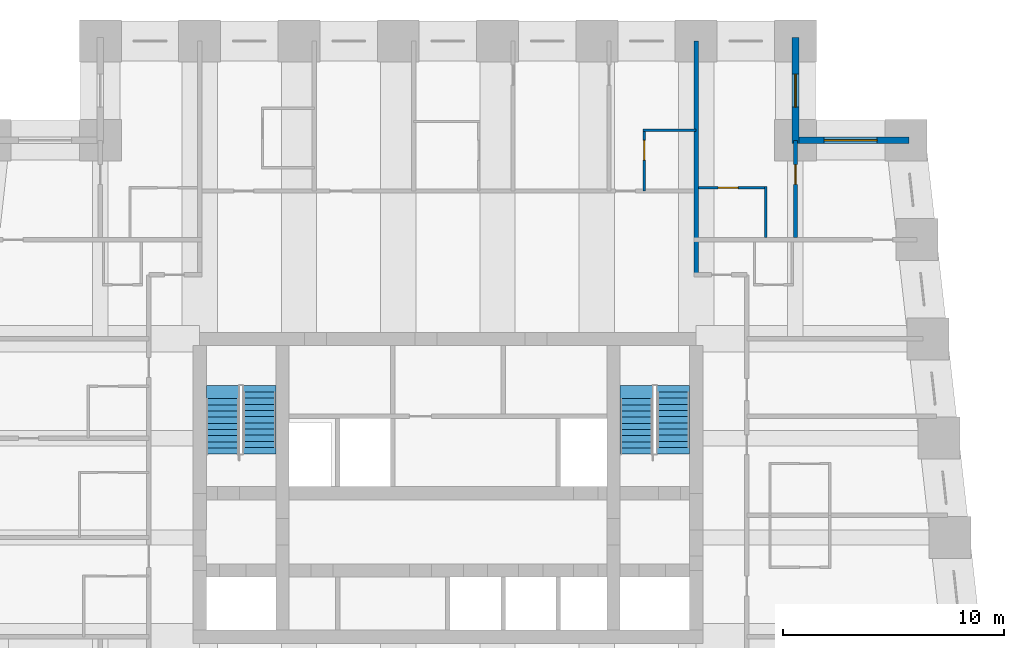
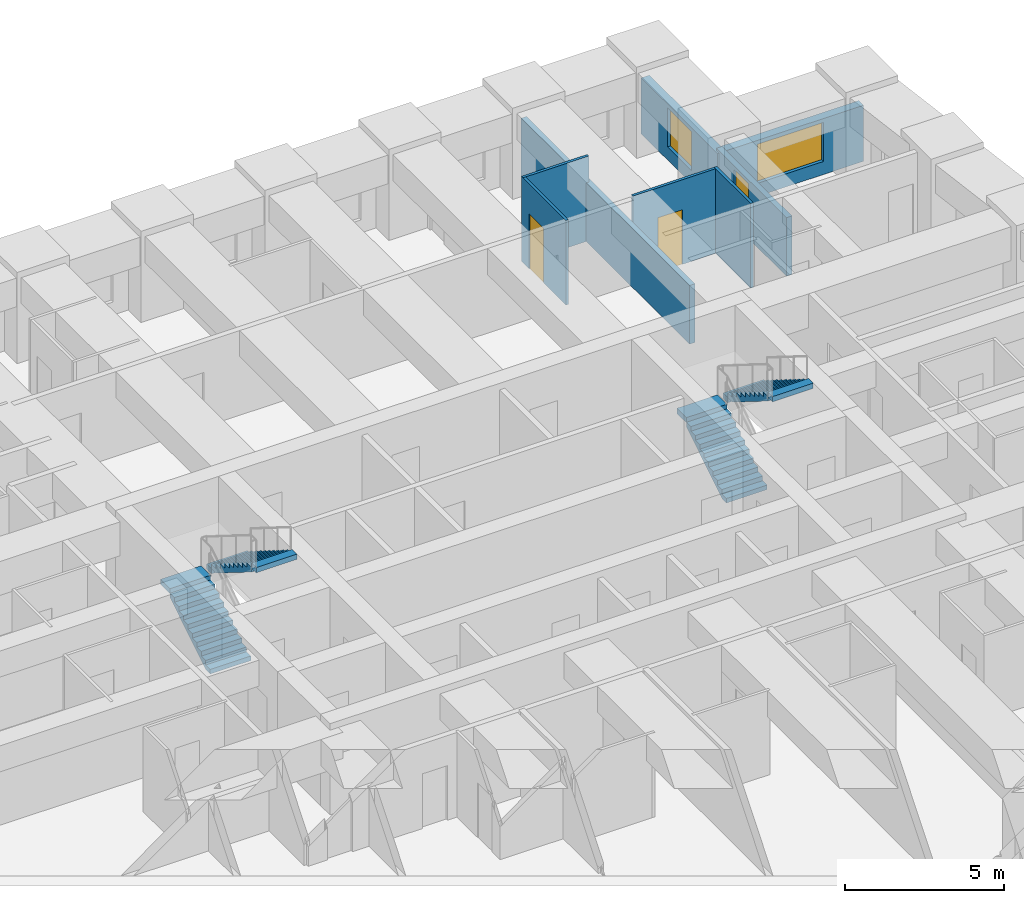
# One storey, part 7 of 8: 8 walls, 4 stair flights, 3 doors, 2 windows, 5 openings, 2 elements without a shape of their own.
"""IFC4 building model written with IfcOpenShell, lengths in metres."""

from ifc_helpers import new_model, si_unit, direction, frame, frame_2d, origin, place, context, subcontext, project, spatial, polyline, rectangle, outline, extrude, material, layer, layer_set, type_object, element, fill, aggregate, save


model = new_model("IFC4")

# Units and contexts
model_context = context("Model", 3, precision=1e-05, world=origin(), true_north=direction((0.0, 1.0)))
body_context = subcontext(model_context, "Body", "Model", "MODEL_VIEW")
ifc_project = project(units=[si_unit("LENGTHUNIT", "METRE"), si_unit("AREAUNIT", "SQUARE_METRE"), si_unit("VOLUMEUNIT", "CUBIC_METRE"), si_unit("PLANEANGLEUNIT", "RADIAN"), si_unit("MASSUNIT", "GRAM", prefix="KILO")], contexts=[model_context])

# Site, building, storey
site_placement = place(None, origin())
site = spatial("IfcSite", under=ifc_project, at=site_placement, CompositionType="ELEMENT")
building_placement = place(site_placement, origin())
building = spatial("IfcBuilding", under=site, at=building_placement, Name="Kilele Tower Hotel", CompositionType="ELEMENT")
storey_placement = place(building_placement, frame((0.0, 0.0, 121.39990234375)))
storey = spatial("IfcBuildingStorey", under=building, at=storey_placement, Name="L31", CompositionType="ELEMENT", Elevation=121.39990234375)

# Wall
ifc_material_1 = material(Name="Moisture-resistant board")
ifc_layer_1 = layer(ifc_material_1, 0.10009765625)
ifc_layer_set_1 = layer_set([ifc_layer_1], Name="Moisture-resistant board")
wall_type_1 = type_object("IfcWallType", Name="Bathroom partition 100", PredefinedType="PLUMBINGWALL", material=ifc_layer_set_1)
wall_1_placement = place(storey_placement, frame((33.60009765625, 36.449951171875, 0.0), z_axis=(0.0, 0.0, 1.0), x_axis=(1.0, 0.0, 0.0)))
element("IfcWall", 1, at=wall_1_placement, inside=storey, type_object=wall_type_1, Name="Bathroom partition 100 L31", PredefinedType="PLUMBINGWALL", context=body_context, shape_type="SweptSolid", body=[
    extrude(rectangle(XDim=2.39990234375, YDim=0.10009765625, at=frame_2d((1.199951171875, 0.0))), origin(), (0.0, 0.0, 1.0), 3.25),
])

# Wall, opening, door
wall_2_placement = place(storey_placement, frame((33.64990234375, 33.699951171875, 0.0), z_axis=(0.0, 0.0, 1.0), x_axis=(0.0, 1.0, 0.0)))
wall_2 = element("IfcWall", 2, at=wall_2_placement, inside=storey, type_object=wall_type_1, Name="Bathroom partition 100 L31", PredefinedType="PLUMBINGWALL", context=body_context, shape_type="SweptSolid", body=[
    extrude(rectangle(XDim=2.800048828125, YDim=0.10009765625, at=frame_2d((1.39990234375, 0.0))), origin(), (0.0, 0.0, 1.0), 3.25),
])
opening_1_placement = place(wall_2_placement, frame((1.39990234375, 0.0, 0.0)))
opening_1 = element("IfcOpeningElement", 3, at=opening_1_placement, cuts=wall_2, Name="Opening D2A", PredefinedType="OPENING", context=body_context, shape_type="SweptSolid", body=[
    extrude(rectangle(XDim=0.89990234375, YDim=2.10009765625, at=frame_2d((0.449951171875, 1.050048828125))), frame((0.0, 0.06005859375, 0.0), z_axis=(0.0, -1.0, 0.0), x_axis=(1.0, 0.0, 0.0)), (0.0, 0.0, 1.0), 0.1201171875),
])
ifc_material_2 = material(Name="Timber door leaf in hardwood frame", Category="wood")
door_type_1 = type_object("IfcDoorType", Name="Bathroom door 900", OperationType="SINGLE_SWING_LEFT", PredefinedType="DOOR", material=ifc_material_2)
door_1_placement = place(opening_1_placement, origin())
door_1 = element("IfcDoor", 4, at=door_1_placement, inside=storey, type_object=door_type_1, Name="Bathroom door 3113B", OperationType="SINGLE_SWING_LEFT", OverallHeight=2.10009765625, OverallWidth=0.89990234375, PredefinedType="DOOR", context=body_context, shape_type="SweptSolid", body=[
    extrude(rectangle(XDim=0.89990234375, YDim=2.10009765625, at=frame_2d((0.449951171875, 1.050048828125))), frame((0.0, 0.02490234375, 0.0), z_axis=(0.0, -1.0, 0.0), x_axis=(1.0, 0.0, 0.0)), (0.0, 0.0, 1.0), 0.050048828125),
])
fill(opening_1, door_1)

# Wall
wall_3_placement = place(storey_placement, frame((39.14990234375, 31.60009765625, 0.0), z_axis=(0.0, 0.0, 1.0), x_axis=(0.0, 1.0, 0.0)))
element("IfcWall", 5, at=wall_3_placement, inside=storey, type_object=wall_type_1, Name="Bathroom partition 100 L31", PredefinedType="PLUMBINGWALL", context=body_context, shape_type="SweptSolid", body=[
    extrude(rectangle(XDim=2.2998046875, YDim=0.10009765625, at=frame_2d((1.14990234375, 0.0))), origin(), (0.0, 0.0, 1.0), 3.25),
])

# Wall, opening, door
wall_4_placement = place(storey_placement, frame((36.10009765625, 33.85009765625, 0.0), z_axis=(0.0, 0.0, 1.0), x_axis=(1.0, 0.0, 0.0)))
wall_4 = element("IfcWall", 6, at=wall_4_placement, inside=storey, type_object=wall_type_1, Name="Bathroom partition 100 L31", PredefinedType="PLUMBINGWALL", context=body_context, shape_type="SweptSolid", body=[
    extrude(rectangle(XDim=3.099853515625, YDim=0.10009765625, at=frame_2d((1.5498046875, 0.0))), origin(), (0.0, 0.0, 1.0), 3.25),
])
opening_2_placement = place(wall_4_placement, frame((0.89990234375, 0.0, 0.0)))
opening_2 = element("IfcOpeningElement", 7, at=opening_2_placement, cuts=wall_4, Name="Opening D2A", PredefinedType="OPENING", context=body_context, shape_type="SweptSolid", body=[
    extrude(rectangle(XDim=0.89990234375, YDim=2.10009765625, at=frame_2d((0.449951171875, 1.050048828125))), frame((0.0, 0.06005859375, 0.0), z_axis=(0.0, -1.0, 0.0), x_axis=(1.0, 0.0, 0.0)), (0.0, 0.0, 1.0), 0.1201171875),
])
door_2_placement = place(opening_2_placement, origin())
door_2 = element("IfcDoor", 8, at=door_2_placement, inside=storey, type_object=door_type_1, Name="Bathroom door 3124B", OperationType="SINGLE_SWING_LEFT", OverallHeight=2.10009765625, OverallWidth=0.89990234375, PredefinedType="DOOR", context=body_context, shape_type="SweptSolid", body=[
    extrude(rectangle(XDim=0.89990234375, YDim=2.10009765625, at=frame_2d((0.449951171875, 1.050048828125))), frame((0.0, 0.02490234375, 0.0), z_axis=(0.0, -1.0, 0.0), x_axis=(1.0, 0.0, 0.0)), (0.0, 0.0, 1.0), 0.050048828125),
])
fill(opening_2, door_2)

ifc_material_3 = material(Name="Blockwork, plastered both sides", Category="masonry")
ifc_layer_2 = layer(ifc_material_3, 0.199951171875)
ifc_layer_set_2 = layer_set([ifc_layer_2], Name="Blockwork, plastered both sides")
wall_type_2 = type_object("IfcWallType", Name="Partition wall 200", PredefinedType="PARTITIONING", material=ifc_layer_set_2)
wall_5_placement = place(storey_placement, frame((40.5, 31.60009765625, 0.0), z_axis=(0.0, 0.0, 1.0), x_axis=(0.0, 1.0, 0.0)))
wall_5 = element("IfcWall", 9, at=wall_5_placement, inside=storey, type_object=wall_type_2, Name="Partition wall 200 L31", PredefinedType="PARTITIONING", context=body_context, shape_type="SweptSolid", body=[
    extrude(rectangle(XDim=4.39990234375, YDim=0.199951171875, at=frame_2d((2.199951171875, 0.0))), origin(), (0.0, 0.0, 1.0), 2.25),
])
opening_3_placement = place(wall_5_placement, frame((2.39990234375, 0.0, 0.0)))
opening_3 = element("IfcOpeningElement", 10, at=opening_3_placement, cuts=wall_5, Name="Opening D3", PredefinedType="OPENING", context=body_context, shape_type="SweptSolid", body=[
    extrude(rectangle(XDim=0.89990234375, YDim=2.10009765625, at=frame_2d((0.449951171875, 1.050048828125))), frame((0.0, 0.10986328125, 0.0), z_axis=(0.0, -1.0, 0.0), x_axis=(1.0, 0.0, 0.0)), (0.0, 0.0, 1.0), 0.219970703125),
])
ifc_material_4 = material(Name="Timber door leaf in hardwood frame", Category="wood")
door_type_2 = type_object("IfcDoorType", Name="Suite internal door 900", OperationType="SINGLE_SWING_LEFT", PredefinedType="DOOR", material=ifc_material_4)
door_3_placement = place(opening_3_placement, origin())
door_3 = element("IfcDoor", 11, at=door_3_placement, inside=storey, type_object=door_type_2, Name="Suite door 3125", OperationType="SINGLE_SWING_RIGHT", OverallHeight=2.10009765625, OverallWidth=0.89990234375, PredefinedType="DOOR", context=body_context, shape_type="SweptSolid", body=[
    extrude(rectangle(XDim=0.89990234375, YDim=2.10009765625, at=frame_2d((0.449951171875, 1.050048828125))), frame((0.0, 0.02490234375, 0.0), z_axis=(0.0, -1.0, 0.0), x_axis=(1.0, 0.0, 0.0)), (0.0, 0.0, 1.0), 0.050048828125),
])
fill(opening_3, door_3)

# Wall
ifc_material_5 = material(Name="Blockwork, plastered both sides", Category="masonry")
ifc_layer_3 = layer(ifc_material_5, 0.199951171875)
ifc_layer_set_3 = layer_set([ifc_layer_3], Name="Blockwork, plastered both sides")
wall_type_3 = type_object("IfcWallType", Name="Party wall 200", PredefinedType="PARTITIONING", material=ifc_layer_set_3)
wall_6_placement = place(storey_placement, frame((36.0, 29.89990234375, 0.0), z_axis=(0.0, 0.0, 1.0), x_axis=(0.0, 1.0, 0.0)))
element("IfcWall", 12, at=wall_6_placement, inside=storey, type_object=wall_type_3, Name="Party wall 200 L31", PredefinedType="PARTITIONING", context=body_context, shape_type="SweptSolid", body=[
    extrude(rectangle(XDim=10.60009765625, YDim=0.199951171875, at=frame_2d((5.300048828125, 0.0))), origin(), (0.0, 0.0, 1.0), 2.25),
])

# Wall, opening, window
ifc_material_6 = material(Name="Concrete C40/50 precast", Category="concrete")
ifc_layer_4 = layer(ifc_material_6, 0.260009765625, Name="Precast backing", Category="LoadBearing")
ifc_material_7 = material(Name="Reconstituted stone finish", Category="masonry")
ifc_layer_5 = layer(ifc_material_7, 0.0400390625, Name="Face mix", Category="Finish")
ifc_layer_set_4 = layer_set([ifc_layer_4, ifc_layer_5], Name="Precast concrete C40/50, reconstituted stone finish")
wall_type_4 = type_object("IfcWallType", Name="Precast stone facade wall 300", PredefinedType="STANDARD", material=ifc_layer_set_4)
wall_7_placement = place(storey_placement, frame((45.64990234375, 36.0, 0.0), z_axis=(0.0, 0.0, 1.0), x_axis=(-1.0, 0.0, 0.0)))
wall_7 = element("IfcWall", 13, at=wall_7_placement, inside=storey, type_object=wall_type_4, Name="Facade wall L31 edge 7", PredefinedType="STANDARD", context=body_context, shape_type="SweptSolid", body=[
    extrude(rectangle(XDim=5.2998046875, YDim=0.300048828125, at=frame_2d((2.64990234375, 0.0))), origin(), (0.0, 0.0, 1.0), 2.150146484375),
])
opening_4_placement = place(wall_7_placement, frame((1.449951171875, 0.0, 0.5)))
opening_4 = element("IfcOpeningElement", 14, at=opening_4_placement, cuts=wall_7, Name="Opening W2", PredefinedType="OPENING", context=body_context, shape_type="SweptSolid", body=[
    extrude(rectangle(XDim=2.39990234375, YDim=1.5, at=frame_2d((1.199951171875, 0.75))), frame((0.0, 0.159912109375, 0.0), z_axis=(0.0, -1.0, 0.0), x_axis=(1.0, 0.0, 0.0)), (0.0, 0.0, 1.0), 0.320068359375),
])
ifc_material_8 = material(Name="Aluminium frame, clear double glazing", Category="aluminium")
window_type_1 = type_object("IfcWindowType", Name="Window W2 2400 x 1500", PartitioningType="SINGLE_PANEL", PredefinedType="WINDOW", material=ifc_material_8)
window_1_placement = place(opening_4_placement, origin())
window_1 = element("IfcWindow", 15, at=window_1_placement, inside=storey, type_object=window_type_1, Name="Window L31", OverallHeight=1.5, OverallWidth=2.39990234375, PartitioningType="SINGLE_PANEL", PredefinedType="WINDOW", context=body_context, shape_type="SweptSolid", body=[
    extrude(rectangle(XDim=2.39990234375, YDim=1.5, at=frame_2d((1.199951171875, 0.75))), frame((0.0, 0.030029296875, 0.0), z_axis=(0.0, -1.0, 0.0), x_axis=(1.0, 0.0, 0.0)), (0.0, 0.0, 1.0), 0.06005859375),
])
fill(opening_4, window_1)

wall_8_placement = place(storey_placement, frame((40.5, 35.85009765625, 0.0), z_axis=(0.0, 0.0, 1.0), x_axis=(0.0, 1.0, 0.0)))
wall_8 = element("IfcWall", 16, at=wall_8_placement, inside=storey, type_object=wall_type_4, Name="Facade wall L31 edge 8", PredefinedType="STANDARD", context=body_context, shape_type="SweptSolid", body=[
    extrude(rectangle(XDim=4.7998046875, YDim=0.300048828125, at=frame_2d((2.39990234375, 0.0))), origin(), (0.0, 0.0, 1.0), 2.150146484375),
])
opening_5_placement = place(wall_8_placement, frame((1.64990234375, 0.0, 0.5)))
opening_5 = element("IfcOpeningElement", 17, at=opening_5_placement, cuts=wall_8, Name="Opening W2", PredefinedType="OPENING", context=body_context, shape_type="SweptSolid", body=[
    extrude(rectangle(XDim=1.5, YDim=1.5, at=frame_2d((0.75, 0.75))), frame((0.0, 0.159912109375, 0.0), z_axis=(0.0, -1.0, 0.0), x_axis=(1.0, 0.0, 0.0)), (0.0, 0.0, 1.0), 0.320068359375),
])
ifc_material_9 = material(Name="Aluminium frame, clear double glazing", Category="aluminium")
window_type_2 = type_object("IfcWindowType", Name="Window W2 1500 x 1500", PartitioningType="SINGLE_PANEL", PredefinedType="WINDOW", material=ifc_material_9)
window_2_placement = place(opening_5_placement, origin())
window_2 = element("IfcWindow", 18, at=window_2_placement, inside=storey, type_object=window_type_2, Name="Window L31", OverallHeight=1.5, OverallWidth=1.5, PartitioningType="SINGLE_PANEL", PredefinedType="WINDOW", context=body_context, shape_type="SweptSolid", body=[
    extrude(rectangle(XDim=1.5, YDim=1.5, at=frame_2d((0.75, 0.75))), frame((0.0, 0.030029296875, 0.0), z_axis=(0.0, -1.0, 0.0), x_axis=(1.0, 0.0, 0.0)), (0.0, 0.0, 1.0), 0.06005859375),
])
fill(opening_5, window_2)

# Stair, stair flights
ifc_material_10 = material(Name="Precast concrete C40/50", Category="concrete")
stair_type = type_object("IfcStairType", Name="Stair 1475 x 3500", PredefinedType="HALF_TURN_STAIR", material=ifc_material_10)
stair_1_placement = place(storey_placement, origin())
stair_1 = element("IfcStair", 19, at=stair_1_placement, inside=storey, type_object=stair_type, Name="Stair 1 L31", PredefinedType="HALF_TURN_STAIR")
ifc_material_11 = material(Name="Precast concrete C40/50", Category="concrete")
stair_flight_type = type_object("IfcStairFlightType", Name="Flight 1475 riser 175.0", PredefinedType="STRAIGHT", material=ifc_material_11)
stair_flight_1_placement = place(storey_placement, frame((14.53759765625, 21.77490234375, 0.0), z_axis=(0.0, 0.0, 1.0), x_axis=(0.0, 1.0, 0.0)))
stair_flight_1 = element("IfcStairFlight", 20, at=stair_flight_1_placement, type_object=stair_flight_type, Name="ST1 flight 1", NumberOfRisers=10, NumberOfTreads=9, PredefinedType="STRAIGHT", RiserHeight=0.175, TreadLength=0.28, context=body_context, shape_type="SweptSolid", body=[
    extrude(outline(polyline([(0.0, 0.0), (0.0, 0.175048828125), (0.280029296875, 0.175048828125), (0.280029296875, 0.35009765625), (0.56005859375, 0.35009765625), (0.56005859375, 0.52490234375), (0.840087890625, 0.52490234375), (0.840087890625, 0.699951171875), (1.1201171875, 0.699951171875), (1.1201171875, 0.875), (1.39990234375, 0.875), (1.39990234375, 1.050048828125), (1.679931640625, 1.050048828125), (1.679931640625, 1.22509765625), (1.9599609375, 1.22509765625), (1.9599609375, 1.39990234375), (2.239990234375, 1.39990234375), (2.239990234375, 1.574951171875), (2.52001953125, 1.574951171875), (2.52001953125, 1.75), (2.52001953125, 1.398193359375), (0.28271484375, 0.0), (0.0, 0.0)])), frame((0.0, 0.737548828125, 0.0), z_axis=(0.0, -1.0, 0.0), x_axis=(1.0, 0.0, 0.0)), (0.0, 0.0, 1.0), 1.47509765625),
    extrude(outline(polyline([(2.52001953125, 0.737548828125), (2.52001953125, -0.7373046875), (3.1201171875, -0.7373046875), (3.1201171875, 0.737548828125), (2.52001953125, 0.737548828125)])), frame((0.0, 0.0, 1.550048828125)), (0.0, 0.0, 1.0), 0.199951171875),
])
stair_flight_2_placement = place(storey_placement, frame((16.21240234375, 24.594970703125, 1.75), z_axis=(0.0, 0.0, 1.0), x_axis=(0.0, -1.0, 0.0)))
stair_flight_2 = element("IfcStairFlight", 21, at=stair_flight_2_placement, type_object=stair_flight_type, Name="ST1 flight 2", NumberOfRisers=10, NumberOfTreads=9, PredefinedType="STRAIGHT", RiserHeight=0.175, TreadLength=0.28, context=body_context, shape_type="SweptSolid", body=[
    extrude(outline(polyline([(0.0, 0.0), (0.0, 0.175048828125), (0.280029296875, 0.175048828125), (0.280029296875, 0.35009765625), (0.56005859375, 0.35009765625), (0.56005859375, 0.52490234375), (0.840087890625, 0.52490234375), (0.840087890625, 0.699951171875), (1.1201171875, 0.699951171875), (1.1201171875, 0.875), (1.39990234375, 0.875), (1.39990234375, 1.050048828125), (1.679931640625, 1.050048828125), (1.679931640625, 1.22509765625), (1.9599609375, 1.22509765625), (1.9599609375, 1.39990234375), (2.239990234375, 1.39990234375), (2.239990234375, 1.574951171875), (2.52001953125, 1.574951171875), (2.52001953125, 1.75), (2.52001953125, 1.398193359375), (0.28271484375, 0.0), (0.0, 0.0)])), frame((0.0, 0.737548828125, 0.0), z_axis=(0.0, -1.0, 0.0), x_axis=(1.0, 0.0, 0.0)), (0.0, 0.0, 1.0), 1.47509765625),
    extrude(outline(polyline([(0.0, -0.7373046875), (0.0, 0.737548828125), (-0.300048828125, 0.737548828125), (-0.300048828125, -0.7373046875), (0.0, -0.7373046875)])), frame((0.0, 0.0, -0.199951171875)), (0.0, 0.0, 1.0), 0.199951171875),
    extrude(outline(polyline([(2.820068359375, -0.7373046875), (2.820068359375, 0.737548828125), (2.52001953125, 0.737548828125), (2.52001953125, -0.7373046875), (2.820068359375, -0.7373046875)])), frame((0.0, 0.0, 1.550048828125)), (0.0, 0.0, 1.0), 0.199951171875),
])
aggregate(stair_1, [stair_flight_1, stair_flight_2])

stair_2_placement = place(storey_placement, origin())
stair_2 = element("IfcStair", 22, at=stair_2_placement, inside=storey, type_object=stair_type, Name="Stair 2 L31", PredefinedType="HALF_TURN_STAIR")
stair_flight_3_placement = place(storey_placement, frame((33.28759765625, 21.77490234375, 0.0), z_axis=(0.0, 0.0, 1.0), x_axis=(0.0, 1.0, 0.0)))
stair_flight_3 = element("IfcStairFlight", 23, at=stair_flight_3_placement, type_object=stair_flight_type, Name="ST2 flight 1", NumberOfRisers=10, NumberOfTreads=9, PredefinedType="STRAIGHT", RiserHeight=0.175, TreadLength=0.28, context=body_context, shape_type="SweptSolid", body=[
    extrude(outline(polyline([(0.0, 0.0), (0.0, 0.175048828125), (0.280029296875, 0.175048828125), (0.280029296875, 0.35009765625), (0.56005859375, 0.35009765625), (0.56005859375, 0.52490234375), (0.840087890625, 0.52490234375), (0.840087890625, 0.699951171875), (1.1201171875, 0.699951171875), (1.1201171875, 0.875), (1.39990234375, 0.875), (1.39990234375, 1.050048828125), (1.679931640625, 1.050048828125), (1.679931640625, 1.22509765625), (1.9599609375, 1.22509765625), (1.9599609375, 1.39990234375), (2.239990234375, 1.39990234375), (2.239990234375, 1.574951171875), (2.52001953125, 1.574951171875), (2.52001953125, 1.75), (2.52001953125, 1.398193359375), (0.28271484375, 0.0), (0.0, 0.0)])), frame((0.0, 0.737548828125, 0.0), z_axis=(0.0, -1.0, 0.0), x_axis=(1.0, 0.0, 0.0)), (0.0, 0.0, 1.0), 1.47509765625),
    extrude(outline(polyline([(2.52001953125, 0.737548828125), (2.52001953125, -0.7373046875), (3.1201171875, -0.7373046875), (3.1201171875, 0.737548828125), (2.52001953125, 0.737548828125)])), frame((0.0, 0.0, 1.550048828125)), (0.0, 0.0, 1.0), 0.199951171875),
])
stair_flight_4_placement = place(storey_placement, frame((34.96240234375, 24.594970703125, 1.75), z_axis=(0.0, 0.0, 1.0), x_axis=(0.0, -1.0, 0.0)))
stair_flight_4 = element("IfcStairFlight", 24, at=stair_flight_4_placement, type_object=stair_flight_type, Name="ST2 flight 2", NumberOfRisers=10, NumberOfTreads=9, PredefinedType="STRAIGHT", RiserHeight=0.175, TreadLength=0.28, context=body_context, shape_type="SweptSolid", body=[
    extrude(outline(polyline([(0.0, 0.0), (0.0, 0.175048828125), (0.280029296875, 0.175048828125), (0.280029296875, 0.35009765625), (0.56005859375, 0.35009765625), (0.56005859375, 0.52490234375), (0.840087890625, 0.52490234375), (0.840087890625, 0.699951171875), (1.1201171875, 0.699951171875), (1.1201171875, 0.875), (1.39990234375, 0.875), (1.39990234375, 1.050048828125), (1.679931640625, 1.050048828125), (1.679931640625, 1.22509765625), (1.9599609375, 1.22509765625), (1.9599609375, 1.39990234375), (2.239990234375, 1.39990234375), (2.239990234375, 1.574951171875), (2.52001953125, 1.574951171875), (2.52001953125, 1.75), (2.52001953125, 1.398193359375), (0.28271484375, 0.0), (0.0, 0.0)])), frame((0.0, 0.737548828125, 0.0), z_axis=(0.0, -1.0, 0.0), x_axis=(1.0, 0.0, 0.0)), (0.0, 0.0, 1.0), 1.47509765625),
    extrude(outline(polyline([(0.0, -0.7373046875), (0.0, 0.737548828125), (-0.300048828125, 0.737548828125), (-0.300048828125, -0.7373046875), (0.0, -0.7373046875)])), frame((0.0, 0.0, -0.199951171875)), (0.0, 0.0, 1.0), 0.199951171875),
    extrude(outline(polyline([(2.820068359375, -0.7373046875), (2.820068359375, 0.737548828125), (2.52001953125, 0.737548828125), (2.52001953125, -0.7373046875), (2.820068359375, -0.7373046875)])), frame((0.0, 0.0, 1.550048828125)), (0.0, 0.0, 1.0), 0.199951171875),
])
aggregate(stair_2, [stair_flight_3, stair_flight_4])

save(model, "model.ifc")
